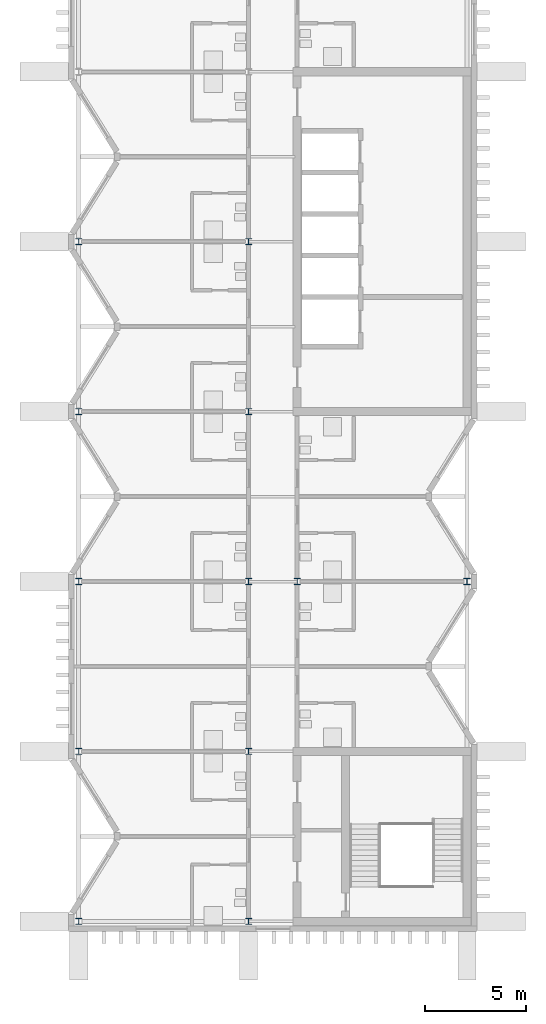
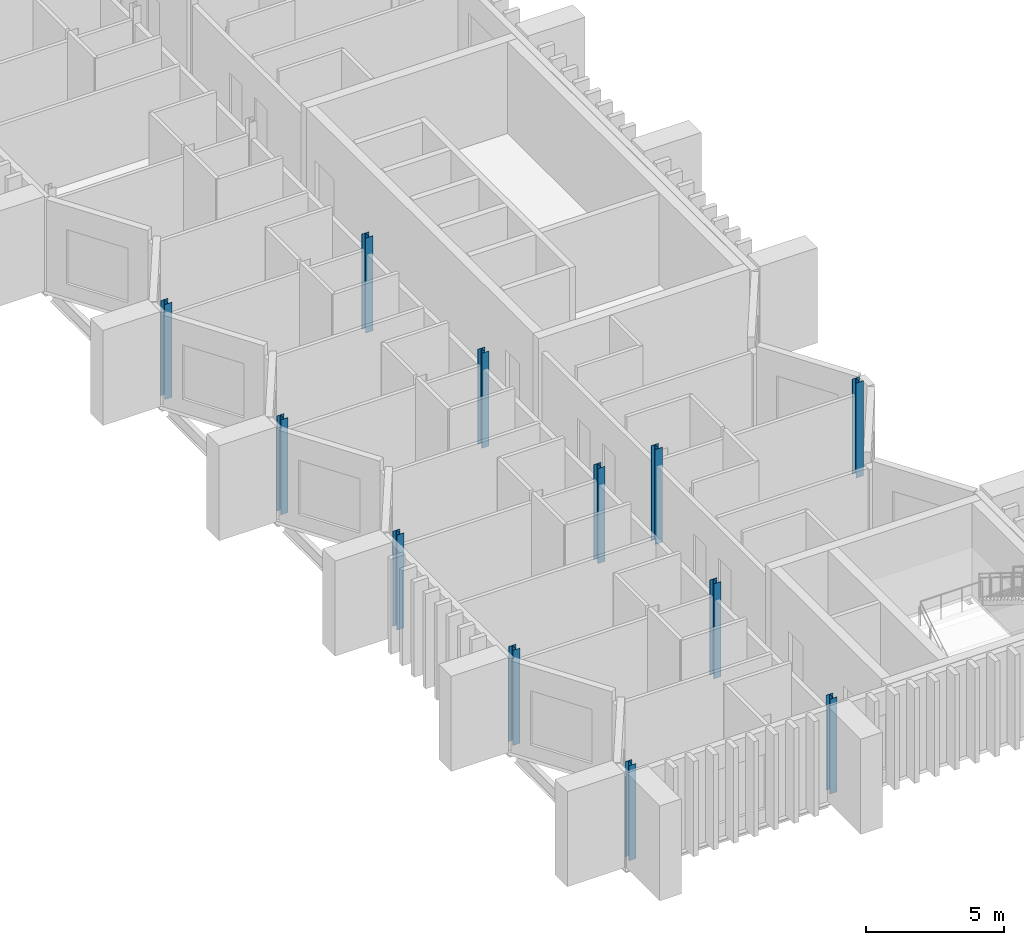
# One storey, part 1 of 11: 12 columns.
"""IFC4 building model written with IfcOpenShell, lengths in metres."""

from ifc_helpers import new_model, si_unit, direction, frame, origin, origin_2d, place, context, subcontext, project, spatial, i_section, extrude, material, material_profile, profile_set, type_object, element, save


model = new_model("IFC4")

# Units and contexts
model_context = context("Model", 3, precision=1e-05, world=origin(), true_north=direction((0.0, 1.0)))
body_context = subcontext(model_context, "Body", "Model", "MODEL_VIEW")
ifc_project = project(units=[si_unit("LENGTHUNIT", "METRE"), si_unit("AREAUNIT", "SQUARE_METRE"), si_unit("VOLUMEUNIT", "CUBIC_METRE"), si_unit("PLANEANGLEUNIT", "RADIAN"), si_unit("MASSUNIT", "GRAM", prefix="KILO")], contexts=[model_context])

# Site, building, storey
site_placement = place(None, origin())
site = spatial("IfcSite", under=ifc_project, at=site_placement, CompositionType="ELEMENT")
building_placement = place(site_placement, origin())
building = spatial("IfcBuilding", under=site, at=building_placement, Name="Cresset Court Congress Hotel", CompositionType="ELEMENT")
storey_placement = place(building_placement, frame((0.0, 0.0, 52.199951171875)))
storey = spatial("IfcBuildingStorey", under=building, at=storey_placement, Name="L12", CompositionType="ELEMENT", Elevation=52.199951171875)

# Columns
ifc_material = material(Name="Structural steel Q355B", Category="steel")
ifc_material_profile = material_profile(ifc_material, i_section(OverallWidth=0.300048828125, OverallDepth=0.300048828125, WebThickness=0.010009765625, FlangeThickness=0.014892578125, FilletRadius=0.012939453125, at=origin_2d()), Name="HW300x300x10x15")
ifc_profile_set = profile_set([ifc_material_profile], Name="Structural steel Q355B")
column_type = type_object("IfcColumnType", Name="Steel column HW300x300x10x15", PredefinedType="COLUMN", material=ifc_profile_set)
for number, where, z_axis, x_axis, name in (
    (1, (157.199951171875, 0.0, 0.0), (0.0, 0.0, 1.0), (1.0, 0.0, 0.0), "Column L12 1-20"),
    (2, (157.199951171875, 8.39990234375, 0.0), (0.0, 0.0, 1.0), (1.0, 0.0, 0.0), "Column L12 2-20"),
    (3, (157.199951171875, 16.800048828125, 0.0), (0.0, 0.0, 1.0), (1.0, 0.0, 0.0), "Column L12 3-20"),
    (4, (157.199951171875, 25.199951171875, 0.0), (0.0, 0.0, 1.0), (1.0, 0.0, 0.0), "Column L12 4-20"),
    (5, (157.199951171875, 33.60009765625, 0.0), (0.0, 0.0, 1.0), (1.0, 0.0, 0.0), "Column L12 5-20"),
    (6, (165.60009765625, 0.0, 0.0), (0.0, 0.0, 1.0), (1.0, 0.0, 0.0), "Column L12 1-21"),
    (7, (165.60009765625, 8.39990234375, 0.0), (0.0, 0.0, 1.0), (1.0, 0.0, 0.0), "Column L12 2-21"),
    (8, (165.60009765625, 16.800048828125, 0.0), (0.0, 0.0, 1.0), (1.0, 0.0, 0.0), "Column L12 3-21"),
    (9, (165.60009765625, 25.199951171875, 0.0), (0.0, 0.0, 1.0), (1.0, 0.0, 0.0), "Column L12 4-21"),
    (10, (165.60009765625, 33.60009765625, 0.0), (0.0, 0.0, 1.0), (1.0, 0.0, 0.0), "Column L12 5-21"),
    (11, (168.0, 16.800048828125, 0.0), (0.0, 0.0, 1.0), (1.0, 0.0, 0.0), "Column L12 3-22"),
    (12, (176.39990234375, 16.800048828125, 0.0), (0.0, 0.0, 1.0), (1.0, 0.0, 0.0), "Column L12 3-23"),
):
    element("IfcColumn", number, at=place(storey_placement, frame(where, z_axis=z_axis, x_axis=x_axis)), inside=storey, type_object=column_type, Name=name, PredefinedType="COLUMN", context=body_context, shape_type="SweptSolid", body=[
        extrude(i_section(OverallWidth=0.300048828125, OverallDepth=0.300048828125, WebThickness=0.010009765625, FlangeThickness=0.014892578125, FilletRadius=0.012939453125, at=origin_2d()), origin(), (0.0, 0.0, 1.0), 4.199951171875),
    ])

save(model, "model.ifc")
